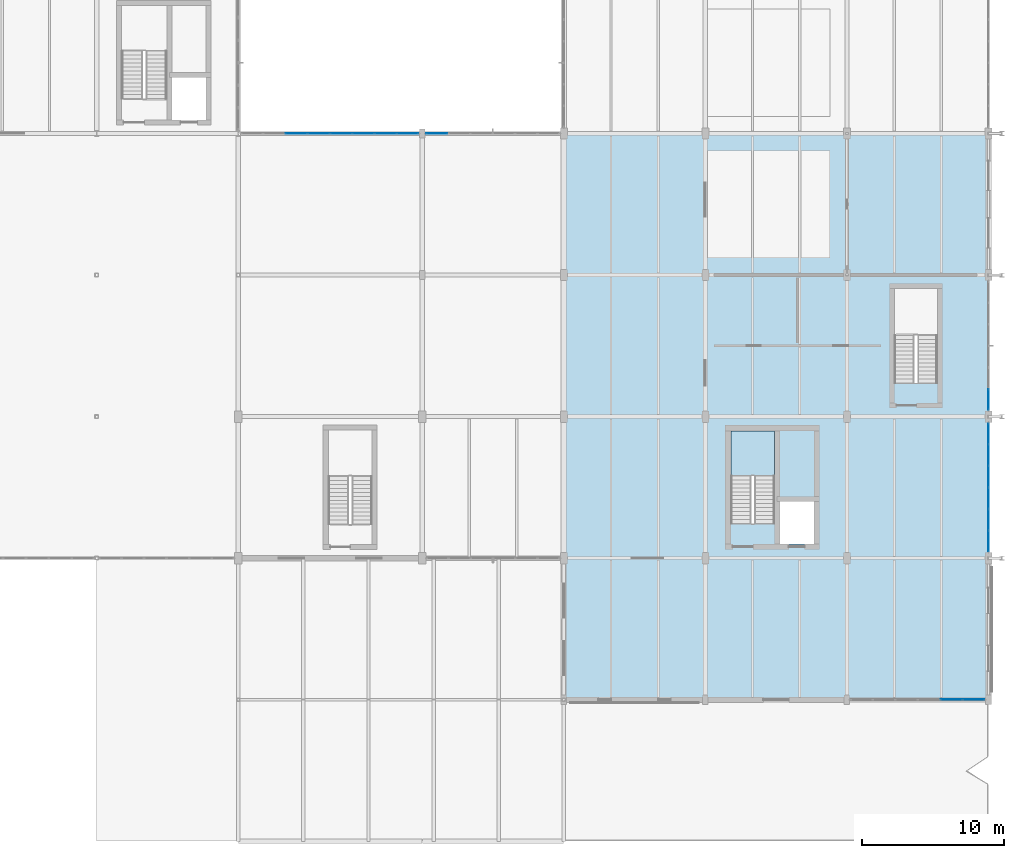
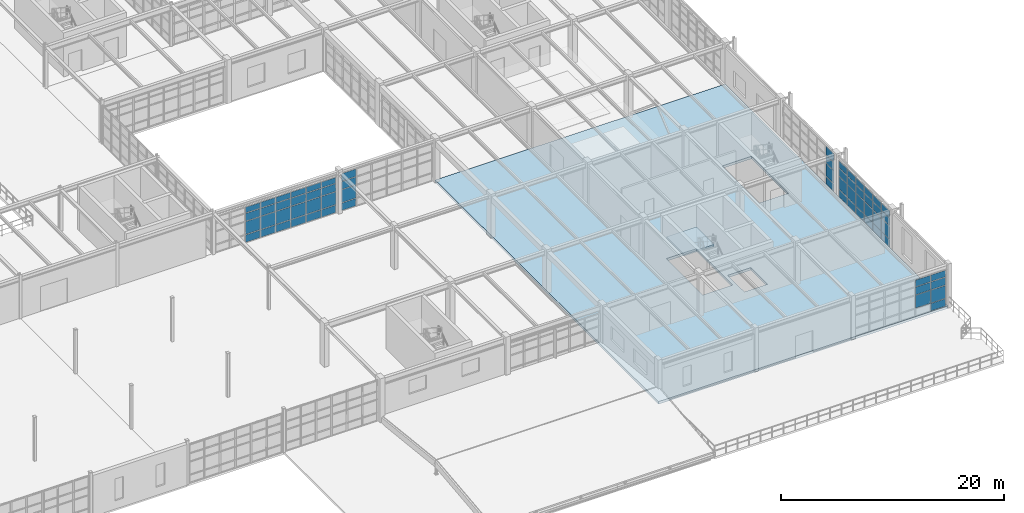
# One storey, part 98 of 139: 63 plates, 2 slabs, 6 elements without a shape of their own.
"""IFC4 building model written with IfcOpenShell, lengths in metres."""

from ifc_helpers import new_model, si_unit, direction, frame, origin, origin_2d, place, context, subcontext, project, spatial, polyline, rectangle, outline, extrude, material, layer, layer_set, type_object, element, aggregate, save


model = new_model("IFC4")

# Units and contexts
model_context = context("Model", 3, precision=1e-05, world=origin(), true_north=direction((0.0, 1.0)))
body_context = subcontext(model_context, "Body", "Model", "MODEL_VIEW")
ifc_project = project(units=[si_unit("LENGTHUNIT", "METRE"), si_unit("AREAUNIT", "SQUARE_METRE"), si_unit("VOLUMEUNIT", "CUBIC_METRE"), si_unit("PLANEANGLEUNIT", "RADIAN"), si_unit("MASSUNIT", "GRAM", prefix="KILO"), si_unit("THERMODYNAMICTEMPERATUREUNIT", "KELVIN"), si_unit("POWERUNIT", "WATT")], contexts=[model_context])

# Site, building, storey
site_placement = place(None, origin())
site = spatial("IfcSite", under=ifc_project, at=site_placement, CompositionType="ELEMENT")
building_placement = place(site_placement, origin())
building = spatial("IfcBuilding", under=site, at=building_placement, Name="Korenveer Ferry Terminal", CompositionType="ELEMENT")
storey_placement = place(building_placement, frame((0.0, 0.0, 5.39990234375)))
storey = spatial("IfcBuildingStorey", under=building, at=storey_placement, Name="L01", CompositionType="ELEMENT", Elevation=5.39990234375)

# Curtain wall, plates
ifc_material_1 = material(Name="Unitised bronze-and-glass curtain wall", Category="glass")
ifc_layer_1 = layer(ifc_material_1, 0.159912109375)
ifc_layer_set_1 = layer_set([ifc_layer_1], Name="Unitised bronze-and-glass curtain wall")
curtain_wall_type_1 = type_object("IfcCurtainWallType", Name="ENV-CW-37", PredefinedType="USERDEFINED", material=ifc_layer_set_1)
curtain_wall_1_placement = place(storey_placement, frame((166.22998046875, 10.0, 0.0)))
curtain_wall_1 = element("IfcCurtainWall", 1, at=curtain_wall_1_placement, inside=storey, type_object=curtain_wall_type_1, Name="Lancet curtain wall CWX-L01-X166-176-Y10-10", ObjectType="UNITISED CURTAIN WALL", PredefinedType="USERDEFINED")
ifc_material_2 = material(Name="Low-iron solar-control double glazing", Category="glass")
ifc_layer_2 = layer(ifc_material_2, 0.028076171875)
ifc_layer_set_2 = layer_set([ifc_layer_2], Name="Low-iron solar-control double glazing")
plate_type = type_object("IfcPlateType", Name="ENV-CWP-GLZ28", PredefinedType="CURTAIN_PANEL", material=ifc_layer_set_2)
plate_1_placement = place(storey_placement, frame((173.385009765625, 10.0, 0.93017578125), z_axis=(0.0, 0.0, 1.0), x_axis=(1.0, 0.0, 0.0)))
plate_1 = element("IfcPlate", 2, at=plate_1_placement, type_object=plate_type, Name="CW-37 panel 5.2", PredefinedType="CURTAIN_PANEL", context=body_context, shape_type="SweptSolid", body=[
    extrude(rectangle(XDim=1.530029296875, YDim=0.028076171875, at=origin_2d()), origin(), (0.0, 0.0, 1.0), 1.389892578125),
])
plate_2_placement = place(storey_placement, frame((173.385009765625, 10.0, 2.3798828125), z_axis=(0.0, 0.0, 1.0), x_axis=(1.0, 0.0, 0.0)))
plate_2 = element("IfcPlate", 3, at=plate_2_placement, type_object=plate_type, Name="CW-37 panel 5.3", PredefinedType="CURTAIN_PANEL", context=body_context, shape_type="SweptSolid", body=[
    extrude(rectangle(XDim=1.530029296875, YDim=0.028076171875, at=origin_2d()), origin(), (0.0, 0.0, 1.0), 0.840087890625),
])
plate_3_placement = place(storey_placement, frame((173.385009765625, 10.0, 3.280029296875), z_axis=(0.0, 0.0, 1.0), x_axis=(1.0, 0.0, 0.0)))
plate_3 = element("IfcPlate", 4, at=plate_3_placement, type_object=plate_type, Name="CW-37 panel 5.4", PredefinedType="CURTAIN_PANEL", context=body_context, shape_type="SweptSolid", body=[
    extrude(rectangle(XDim=1.530029296875, YDim=0.028076171875, at=origin_2d()), origin(), (0.0, 0.0, 1.0), 0.7099609375),
])
plate_4_placement = place(storey_placement, frame((174.9599609375, 10.0, 0.06005859375), z_axis=(0.0, 0.0, 1.0), x_axis=(1.0, 0.0, 0.0)))
plate_4 = element("IfcPlate", 5, at=plate_4_placement, type_object=plate_type, Name="CW-37 panel 6.1", PredefinedType="CURTAIN_PANEL", context=body_context, shape_type="SweptSolid", body=[
    extrude(rectangle(XDim=1.5, YDim=0.028076171875, at=origin_2d()), origin(), (0.0, 0.0, 1.0), 0.81005859375),
])
plate_5_placement = place(storey_placement, frame((174.9599609375, 10.0, 0.93017578125), z_axis=(0.0, 0.0, 1.0), x_axis=(1.0, 0.0, 0.0)))
plate_5 = element("IfcPlate", 6, at=plate_5_placement, type_object=plate_type, Name="CW-37 panel 6.2", PredefinedType="CURTAIN_PANEL", context=body_context, shape_type="SweptSolid", body=[
    extrude(rectangle(XDim=1.5, YDim=0.028076171875, at=origin_2d()), origin(), (0.0, 0.0, 1.0), 1.389892578125),
])
plate_6_placement = place(storey_placement, frame((174.9599609375, 10.0, 2.3798828125), z_axis=(0.0, 0.0, 1.0), x_axis=(1.0, 0.0, 0.0)))
plate_6 = element("IfcPlate", 7, at=plate_6_placement, type_object=plate_type, Name="CW-37 panel 6.3", PredefinedType="CURTAIN_PANEL", context=body_context, shape_type="SweptSolid", body=[
    extrude(rectangle(XDim=1.5, YDim=0.028076171875, at=origin_2d()), origin(), (0.0, 0.0, 1.0), 0.840087890625),
])
plate_7_placement = place(storey_placement, frame((174.9599609375, 10.0, 3.280029296875), z_axis=(0.0, 0.0, 1.0), x_axis=(1.0, 0.0, 0.0)))
plate_7 = element("IfcPlate", 8, at=plate_7_placement, type_object=plate_type, Name="CW-37 panel 6.4", PredefinedType="CURTAIN_PANEL", context=body_context, shape_type="SweptSolid", body=[
    extrude(rectangle(XDim=1.5, YDim=0.028076171875, at=origin_2d()), origin(), (0.0, 0.0, 1.0), 0.7099609375),
])
aggregate(curtain_wall_1, [plate_1, plate_2, plate_3, plate_4, plate_5, plate_6, plate_7])

ifc_layer_3 = layer(ifc_material_1, 0.159912109375)
ifc_layer_set_3 = layer_set([ifc_layer_3], Name="Unitised bronze-and-glass curtain wall")
curtain_wall_type_2 = type_object("IfcCurtainWallType", Name="ENV-CW-44", PredefinedType="USERDEFINED", material=ifc_layer_set_3)
curtain_wall_2_placement = place(storey_placement, frame((123.179931640625, 50.0, 0.0)))
curtain_wall_2 = element("IfcCurtainWall", 9, at=curtain_wall_2_placement, inside=storey, type_object=curtain_wall_type_2, Name="Lancet curtain wall CWX-L01-X123-136-Y50-50", ObjectType="UNITISED CURTAIN WALL", PredefinedType="USERDEFINED")
plate_8_placement = place(storey_placement, frame((127.1142578125, 50.0, 0.06005859375), z_axis=(0.0, 0.0, 1.0), x_axis=(1.0, 0.0, 0.0)))
plate_8 = element("IfcPlate", 10, at=plate_8_placement, type_object=plate_type, Name="CW-44 panel 3.1", PredefinedType="CURTAIN_PANEL", context=body_context, shape_type="SweptSolid", body=[
    extrude(rectangle(XDim=1.513671875, YDim=0.028076171875, at=origin_2d()), origin(), (0.0, 0.0, 1.0), 0.81005859375),
])
plate_9_placement = place(storey_placement, frame((127.1142578125, 50.0, 0.93017578125), z_axis=(0.0, 0.0, 1.0), x_axis=(1.0, 0.0, 0.0)))
plate_9 = element("IfcPlate", 11, at=plate_9_placement, type_object=plate_type, Name="CW-44 panel 3.2", PredefinedType="CURTAIN_PANEL", context=body_context, shape_type="SweptSolid", body=[
    extrude(rectangle(XDim=1.513671875, YDim=0.028076171875, at=origin_2d()), origin(), (0.0, 0.0, 1.0), 1.389892578125),
])
plate_10_placement = place(storey_placement, frame((127.1142578125, 50.0, 2.3798828125), z_axis=(0.0, 0.0, 1.0), x_axis=(1.0, 0.0, 0.0)))
plate_10 = element("IfcPlate", 12, at=plate_10_placement, type_object=plate_type, Name="CW-44 panel 3.3", PredefinedType="CURTAIN_PANEL", context=body_context, shape_type="SweptSolid", body=[
    extrude(rectangle(XDim=1.513671875, YDim=0.028076171875, at=origin_2d()), origin(), (0.0, 0.0, 1.0), 0.840087890625),
])
plate_11_placement = place(storey_placement, frame((127.1142578125, 50.0, 3.280029296875), z_axis=(0.0, 0.0, 1.0), x_axis=(1.0, 0.0, 0.0)))
plate_11 = element("IfcPlate", 13, at=plate_11_placement, type_object=plate_type, Name="CW-44 panel 3.4", PredefinedType="CURTAIN_PANEL", context=body_context, shape_type="SweptSolid", body=[
    extrude(rectangle(XDim=1.513671875, YDim=0.028076171875, at=origin_2d()), origin(), (0.0, 0.0, 1.0), 0.6201171875),
])
plate_12_placement = place(storey_placement, frame((128.688232421875, 50.0, 0.06005859375), z_axis=(0.0, 0.0, 1.0), x_axis=(1.0, 0.0, 0.0)))
plate_12 = element("IfcPlate", 14, at=plate_12_placement, type_object=plate_type, Name="CW-44 panel 4.1", PredefinedType="CURTAIN_PANEL", context=body_context, shape_type="SweptSolid", body=[
    extrude(rectangle(XDim=1.513671875, YDim=0.028076171875, at=origin_2d()), origin(), (0.0, 0.0, 1.0), 0.81005859375),
])
plate_13_placement = place(storey_placement, frame((128.688232421875, 50.0, 0.93017578125), z_axis=(0.0, 0.0, 1.0), x_axis=(1.0, 0.0, 0.0)))
plate_13 = element("IfcPlate", 15, at=plate_13_placement, type_object=plate_type, Name="CW-44 panel 4.2", PredefinedType="CURTAIN_PANEL", context=body_context, shape_type="SweptSolid", body=[
    extrude(rectangle(XDim=1.513671875, YDim=0.028076171875, at=origin_2d()), origin(), (0.0, 0.0, 1.0), 1.389892578125),
])
plate_14_placement = place(storey_placement, frame((128.688232421875, 50.0, 2.3798828125), z_axis=(0.0, 0.0, 1.0), x_axis=(1.0, 0.0, 0.0)))
plate_14 = element("IfcPlate", 16, at=plate_14_placement, type_object=plate_type, Name="CW-44 panel 4.3", PredefinedType="CURTAIN_PANEL", context=body_context, shape_type="SweptSolid", body=[
    extrude(rectangle(XDim=1.513671875, YDim=0.028076171875, at=origin_2d()), origin(), (0.0, 0.0, 1.0), 0.840087890625),
])
plate_15_placement = place(storey_placement, frame((128.688232421875, 50.0, 3.280029296875), z_axis=(0.0, 0.0, 1.0), x_axis=(1.0, 0.0, 0.0)))
plate_15 = element("IfcPlate", 17, at=plate_15_placement, type_object=plate_type, Name="CW-44 panel 4.4", PredefinedType="CURTAIN_PANEL", context=body_context, shape_type="SweptSolid", body=[
    extrude(rectangle(XDim=1.513671875, YDim=0.028076171875, at=origin_2d()), origin(), (0.0, 0.0, 1.0), 0.6201171875),
])
plate_16_placement = place(storey_placement, frame((130.261962890625, 50.0, 0.06005859375), z_axis=(0.0, 0.0, 1.0), x_axis=(1.0, 0.0, 0.0)))
plate_16 = element("IfcPlate", 18, at=plate_16_placement, type_object=plate_type, Name="CW-44 panel 5.1", PredefinedType="CURTAIN_PANEL", context=body_context, shape_type="SweptSolid", body=[
    extrude(rectangle(XDim=1.513671875, YDim=0.028076171875, at=origin_2d()), origin(), (0.0, 0.0, 1.0), 0.81005859375),
])
plate_17_placement = place(storey_placement, frame((130.261962890625, 50.0, 0.93017578125), z_axis=(0.0, 0.0, 1.0), x_axis=(1.0, 0.0, 0.0)))
plate_17 = element("IfcPlate", 19, at=plate_17_placement, type_object=plate_type, Name="CW-44 panel 5.2", PredefinedType="CURTAIN_PANEL", context=body_context, shape_type="SweptSolid", body=[
    extrude(rectangle(XDim=1.513671875, YDim=0.028076171875, at=origin_2d()), origin(), (0.0, 0.0, 1.0), 1.389892578125),
])
plate_18_placement = place(storey_placement, frame((130.261962890625, 50.0, 2.3798828125), z_axis=(0.0, 0.0, 1.0), x_axis=(1.0, 0.0, 0.0)))
plate_18 = element("IfcPlate", 20, at=plate_18_placement, type_object=plate_type, Name="CW-44 panel 5.3", PredefinedType="CURTAIN_PANEL", context=body_context, shape_type="SweptSolid", body=[
    extrude(rectangle(XDim=1.513671875, YDim=0.028076171875, at=origin_2d()), origin(), (0.0, 0.0, 1.0), 0.840087890625),
])
plate_19_placement = place(storey_placement, frame((130.261962890625, 50.0, 3.280029296875), z_axis=(0.0, 0.0, 1.0), x_axis=(1.0, 0.0, 0.0)))
plate_19 = element("IfcPlate", 21, at=plate_19_placement, type_object=plate_type, Name="CW-44 panel 5.4", PredefinedType="CURTAIN_PANEL", context=body_context, shape_type="SweptSolid", body=[
    extrude(rectangle(XDim=1.513671875, YDim=0.028076171875, at=origin_2d()), origin(), (0.0, 0.0, 1.0), 0.6201171875),
])
plate_20_placement = place(storey_placement, frame((131.835693359375, 50.0, 0.06005859375), z_axis=(0.0, 0.0, 1.0), x_axis=(1.0, 0.0, 0.0)))
plate_20 = element("IfcPlate", 22, at=plate_20_placement, type_object=plate_type, Name="CW-44 panel 6.1", PredefinedType="CURTAIN_PANEL", context=body_context, shape_type="SweptSolid", body=[
    extrude(rectangle(XDim=1.513671875, YDim=0.028076171875, at=origin_2d()), origin(), (0.0, 0.0, 1.0), 0.81005859375),
])
plate_21_placement = place(storey_placement, frame((131.835693359375, 50.0, 0.93017578125), z_axis=(0.0, 0.0, 1.0), x_axis=(1.0, 0.0, 0.0)))
plate_21 = element("IfcPlate", 23, at=plate_21_placement, type_object=plate_type, Name="CW-44 panel 6.2", PredefinedType="CURTAIN_PANEL", context=body_context, shape_type="SweptSolid", body=[
    extrude(rectangle(XDim=1.513671875, YDim=0.028076171875, at=origin_2d()), origin(), (0.0, 0.0, 1.0), 1.389892578125),
])
plate_22_placement = place(storey_placement, frame((131.835693359375, 50.0, 2.3798828125), z_axis=(0.0, 0.0, 1.0), x_axis=(1.0, 0.0, 0.0)))
plate_22 = element("IfcPlate", 24, at=plate_22_placement, type_object=plate_type, Name="CW-44 panel 6.3", PredefinedType="CURTAIN_PANEL", context=body_context, shape_type="SweptSolid", body=[
    extrude(rectangle(XDim=1.513671875, YDim=0.028076171875, at=origin_2d()), origin(), (0.0, 0.0, 1.0), 0.840087890625),
])
plate_23_placement = place(storey_placement, frame((131.835693359375, 50.0, 3.280029296875), z_axis=(0.0, 0.0, 1.0), x_axis=(1.0, 0.0, 0.0)))
plate_23 = element("IfcPlate", 25, at=plate_23_placement, type_object=plate_type, Name="CW-44 panel 6.4", PredefinedType="CURTAIN_PANEL", context=body_context, shape_type="SweptSolid", body=[
    extrude(rectangle(XDim=1.513671875, YDim=0.028076171875, at=origin_2d()), origin(), (0.0, 0.0, 1.0), 0.6201171875),
])
plate_24_placement = place(storey_placement, frame((133.409423828125, 50.0, 0.06005859375), z_axis=(0.0, 0.0, 1.0), x_axis=(1.0, 0.0, 0.0)))
plate_24 = element("IfcPlate", 26, at=plate_24_placement, type_object=plate_type, Name="CW-44 panel 7.1", PredefinedType="CURTAIN_PANEL", context=body_context, shape_type="SweptSolid", body=[
    extrude(rectangle(XDim=1.513671875, YDim=0.028076171875, at=origin_2d()), origin(), (0.0, 0.0, 1.0), 0.81005859375),
])
plate_25_placement = place(storey_placement, frame((133.409423828125, 50.0, 0.93017578125), z_axis=(0.0, 0.0, 1.0), x_axis=(1.0, 0.0, 0.0)))
plate_25 = element("IfcPlate", 27, at=plate_25_placement, type_object=plate_type, Name="CW-44 panel 7.2", PredefinedType="CURTAIN_PANEL", context=body_context, shape_type="SweptSolid", body=[
    extrude(rectangle(XDim=1.513671875, YDim=0.028076171875, at=origin_2d()), origin(), (0.0, 0.0, 1.0), 1.389892578125),
])
plate_26_placement = place(storey_placement, frame((133.409423828125, 50.0, 2.3798828125), z_axis=(0.0, 0.0, 1.0), x_axis=(1.0, 0.0, 0.0)))
plate_26 = element("IfcPlate", 28, at=plate_26_placement, type_object=plate_type, Name="CW-44 panel 7.3", PredefinedType="CURTAIN_PANEL", context=body_context, shape_type="SweptSolid", body=[
    extrude(rectangle(XDim=1.513671875, YDim=0.028076171875, at=origin_2d()), origin(), (0.0, 0.0, 1.0), 0.840087890625),
])
plate_27_placement = place(storey_placement, frame((133.409423828125, 50.0, 3.280029296875), z_axis=(0.0, 0.0, 1.0), x_axis=(1.0, 0.0, 0.0)))
plate_27 = element("IfcPlate", 29, at=plate_27_placement, type_object=plate_type, Name="CW-44 panel 7.4", PredefinedType="CURTAIN_PANEL", context=body_context, shape_type="SweptSolid", body=[
    extrude(rectangle(XDim=1.513671875, YDim=0.028076171875, at=origin_2d()), origin(), (0.0, 0.0, 1.0), 0.6201171875),
])
plate_28_placement = place(storey_placement, frame((134.968017578125, 50.0, 0.06005859375), z_axis=(0.0, 0.0, 1.0), x_axis=(1.0, 0.0, 0.0)))
plate_28 = element("IfcPlate", 30, at=plate_28_placement, type_object=plate_type, Name="CW-44 panel 8.1", PredefinedType="CURTAIN_PANEL", context=body_context, shape_type="SweptSolid", body=[
    extrude(rectangle(XDim=1.483642578125, YDim=0.028076171875, at=origin_2d()), origin(), (0.0, 0.0, 1.0), 0.81005859375),
])
plate_29_placement = place(storey_placement, frame((134.968017578125, 50.0, 0.93017578125), z_axis=(0.0, 0.0, 1.0), x_axis=(1.0, 0.0, 0.0)))
plate_29 = element("IfcPlate", 31, at=plate_29_placement, type_object=plate_type, Name="CW-44 panel 8.2", PredefinedType="CURTAIN_PANEL", context=body_context, shape_type="SweptSolid", body=[
    extrude(rectangle(XDim=1.483642578125, YDim=0.028076171875, at=origin_2d()), origin(), (0.0, 0.0, 1.0), 1.389892578125),
])
plate_30_placement = place(storey_placement, frame((134.968017578125, 50.0, 2.3798828125), z_axis=(0.0, 0.0, 1.0), x_axis=(1.0, 0.0, 0.0)))
plate_30 = element("IfcPlate", 32, at=plate_30_placement, type_object=plate_type, Name="CW-44 panel 8.3", PredefinedType="CURTAIN_PANEL", context=body_context, shape_type="SweptSolid", body=[
    extrude(rectangle(XDim=1.483642578125, YDim=0.028076171875, at=origin_2d()), origin(), (0.0, 0.0, 1.0), 0.840087890625),
])
plate_31_placement = place(storey_placement, frame((134.968017578125, 50.0, 3.280029296875), z_axis=(0.0, 0.0, 1.0), x_axis=(1.0, 0.0, 0.0)))
plate_31 = element("IfcPlate", 33, at=plate_31_placement, type_object=plate_type, Name="CW-44 panel 8.4", PredefinedType="CURTAIN_PANEL", context=body_context, shape_type="SweptSolid", body=[
    extrude(rectangle(XDim=1.483642578125, YDim=0.028076171875, at=origin_2d()), origin(), (0.0, 0.0, 1.0), 0.6201171875),
])
aggregate(curtain_wall_2, [plate_8, plate_9, plate_10, plate_11, plate_12, plate_13, plate_14, plate_15, plate_16, plate_17, plate_18, plate_19, plate_20, plate_21, plate_22, plate_23, plate_24, plate_25, plate_26, plate_27, plate_28, plate_29, plate_30, plate_31])

ifc_layer_4 = layer(ifc_material_1, 0.159912109375)
ifc_layer_set_4 = layer_set([ifc_layer_4], Name="Unitised bronze-and-glass curtain wall")
curtain_wall_type_3 = type_object("IfcCurtainWallType", Name="ENV-CW-45", PredefinedType="USERDEFINED", material=ifc_layer_set_4)
curtain_wall_3_placement = place(storey_placement, frame((136.22998046875, 50.0, 0.0)))
curtain_wall_3 = element("IfcCurtainWall", 34, at=curtain_wall_3_placement, inside=storey, type_object=curtain_wall_type_3, Name="Lancet curtain wall CWX-L01-X136-146-Y50-50", ObjectType="UNITISED CURTAIN WALL", PredefinedType="USERDEFINED")
plate_32_placement = place(storey_placement, frame((137.035888671875, 50.0, 0.06005859375), z_axis=(0.0, 0.0, 1.0), x_axis=(1.0, 0.0, 0.0)))
plate_32 = element("IfcPlate", 35, at=plate_32_placement, type_object=plate_type, Name="CW-45 panel 1.1", PredefinedType="CURTAIN_PANEL", context=body_context, shape_type="SweptSolid", body=[
    extrude(rectangle(XDim=1.49169921875, YDim=0.028076171875, at=origin_2d()), origin(), (0.0, 0.0, 1.0), 0.81005859375),
])
plate_33_placement = place(storey_placement, frame((137.035888671875, 50.0, 0.93017578125), z_axis=(0.0, 0.0, 1.0), x_axis=(1.0, 0.0, 0.0)))
plate_33 = element("IfcPlate", 36, at=plate_33_placement, type_object=plate_type, Name="CW-45 panel 1.2", PredefinedType="CURTAIN_PANEL", context=body_context, shape_type="SweptSolid", body=[
    extrude(rectangle(XDim=1.49169921875, YDim=0.028076171875, at=origin_2d()), origin(), (0.0, 0.0, 1.0), 1.389892578125),
])
plate_34_placement = place(storey_placement, frame((137.035888671875, 50.0, 2.3798828125), z_axis=(0.0, 0.0, 1.0), x_axis=(1.0, 0.0, 0.0)))
plate_34 = element("IfcPlate", 37, at=plate_34_placement, type_object=plate_type, Name="CW-45 panel 1.3", PredefinedType="CURTAIN_PANEL", context=body_context, shape_type="SweptSolid", body=[
    extrude(rectangle(XDim=1.49169921875, YDim=0.028076171875, at=origin_2d()), origin(), (0.0, 0.0, 1.0), 0.840087890625),
])
plate_35_placement = place(storey_placement, frame((137.035888671875, 50.0, 3.2802734375), z_axis=(0.0, 0.0, 1.0), x_axis=(1.0, 0.0, 0.0)))
plate_35 = element("IfcPlate", 38, at=plate_35_placement, type_object=plate_type, Name="CW-45 panel 1.4", PredefinedType="CURTAIN_PANEL", context=body_context, shape_type="SweptSolid", body=[
    extrude(rectangle(XDim=1.49169921875, YDim=0.028076171875, at=origin_2d()), origin(), (0.0, 0.0, 1.0), 0.820068359375),
])
aggregate(curtain_wall_3, [plate_32, plate_33, plate_34, plate_35])

ifc_layer_5 = layer(ifc_material_1, 0.159912109375)
ifc_layer_set_5 = layer_set([ifc_layer_5], Name="Unitised bronze-and-glass curtain wall")
curtain_wall_type_4 = type_object("IfcCurtainWallType", Name="ENV-CW-80", PredefinedType="USERDEFINED", material=ifc_layer_set_5)
curtain_wall_4_placement = place(storey_placement, frame((176.0, 29.570068359375, 0.0)))
curtain_wall_4 = element("IfcCurtainWall", 39, at=curtain_wall_4_placement, inside=storey, type_object=curtain_wall_type_4, Name="Lancet curtain wall CWX-L01-X176-176-Y20-30", ObjectType="UNITISED CURTAIN WALL", PredefinedType="USERDEFINED")
plate_36_placement = place(storey_placement, frame((176.0, 28.793212890625, 0.06005859375), z_axis=(0.0, 0.0, 1.0), x_axis=(0.0, -1.0, 0.0)))
plate_36 = element("IfcPlate", 40, at=plate_36_placement, type_object=plate_type, Name="CW-80 panel 1.1", PredefinedType="CURTAIN_PANEL", context=body_context, shape_type="SweptSolid", body=[
    extrude(rectangle(XDim=1.433349609375, YDim=0.028076171875, at=origin_2d()), origin(), (0.0, 0.0, 1.0), 0.81005859375),
])
plate_37_placement = place(storey_placement, frame((176.0, 28.793212890625, 0.93017578125), z_axis=(0.0, 0.0, 1.0), x_axis=(0.0, -1.0, 0.0)))
plate_37 = element("IfcPlate", 41, at=plate_37_placement, type_object=plate_type, Name="CW-80 panel 1.2", PredefinedType="CURTAIN_PANEL", context=body_context, shape_type="SweptSolid", body=[
    extrude(rectangle(XDim=1.433349609375, YDim=0.028076171875, at=origin_2d()), origin(), (0.0, 0.0, 1.0), 1.389892578125),
])
plate_38_placement = place(storey_placement, frame((176.0, 28.793212890625, 2.3798828125), z_axis=(0.0, 0.0, 1.0), x_axis=(0.0, -1.0, 0.0)))
plate_38 = element("IfcPlate", 42, at=plate_38_placement, type_object=plate_type, Name="CW-80 panel 1.3", PredefinedType="CURTAIN_PANEL", context=body_context, shape_type="SweptSolid", body=[
    extrude(rectangle(XDim=1.433349609375, YDim=0.028076171875, at=origin_2d()), origin(), (0.0, 0.0, 1.0), 0.840087890625),
])
plate_39_placement = place(storey_placement, frame((176.0, 28.793212890625, 3.280029296875), z_axis=(0.0, 0.0, 1.0), x_axis=(0.0, -1.0, 0.0)))
plate_39 = element("IfcPlate", 43, at=plate_39_placement, type_object=plate_type, Name="CW-80 panel 1.4", PredefinedType="CURTAIN_PANEL", context=body_context, shape_type="SweptSolid", body=[
    extrude(rectangle(XDim=1.433349609375, YDim=0.028076171875, at=origin_2d()), origin(), (0.0, 0.0, 1.0), 0.72998046875),
])
plate_40_placement = place(storey_placement, frame((176.0, 27.284912109375, 0.06005859375), z_axis=(0.0, 0.0, 1.0), x_axis=(0.0, -1.0, 0.0)))
plate_40 = element("IfcPlate", 44, at=plate_40_placement, type_object=plate_type, Name="CW-80 panel 2.1", PredefinedType="CURTAIN_PANEL", context=body_context, shape_type="SweptSolid", body=[
    extrude(rectangle(XDim=1.46337890625, YDim=0.028076171875, at=origin_2d()), origin(), (0.0, 0.0, 1.0), 0.81005859375),
])
plate_41_placement = place(storey_placement, frame((176.0, 27.284912109375, 0.93017578125), z_axis=(0.0, 0.0, 1.0), x_axis=(0.0, -1.0, 0.0)))
plate_41 = element("IfcPlate", 45, at=plate_41_placement, type_object=plate_type, Name="CW-80 panel 2.2", PredefinedType="CURTAIN_PANEL", context=body_context, shape_type="SweptSolid", body=[
    extrude(rectangle(XDim=1.46337890625, YDim=0.028076171875, at=origin_2d()), origin(), (0.0, 0.0, 1.0), 1.389892578125),
])
plate_42_placement = place(storey_placement, frame((176.0, 27.284912109375, 2.3798828125), z_axis=(0.0, 0.0, 1.0), x_axis=(0.0, -1.0, 0.0)))
plate_42 = element("IfcPlate", 46, at=plate_42_placement, type_object=plate_type, Name="CW-80 panel 2.3", PredefinedType="CURTAIN_PANEL", context=body_context, shape_type="SweptSolid", body=[
    extrude(rectangle(XDim=1.46337890625, YDim=0.028076171875, at=origin_2d()), origin(), (0.0, 0.0, 1.0), 0.840087890625),
])
plate_43_placement = place(storey_placement, frame((176.0, 27.284912109375, 3.280029296875), z_axis=(0.0, 0.0, 1.0), x_axis=(0.0, -1.0, 0.0)))
plate_43 = element("IfcPlate", 47, at=plate_43_placement, type_object=plate_type, Name="CW-80 panel 2.4", PredefinedType="CURTAIN_PANEL", context=body_context, shape_type="SweptSolid", body=[
    extrude(rectangle(XDim=1.46337890625, YDim=0.028076171875, at=origin_2d()), origin(), (0.0, 0.0, 1.0), 0.72998046875),
])
plate_44_placement = place(storey_placement, frame((176.0, 25.76171875, 0.06005859375), z_axis=(0.0, 0.0, 1.0), x_axis=(0.0, -1.0, 0.0)))
plate_44 = element("IfcPlate", 48, at=plate_44_placement, type_object=plate_type, Name="CW-80 panel 3.1", PredefinedType="CURTAIN_PANEL", context=body_context, shape_type="SweptSolid", body=[
    extrude(rectangle(XDim=1.46337890625, YDim=0.028076171875, at=origin_2d()), origin(), (0.0, 0.0, 1.0), 0.81005859375),
])
plate_45_placement = place(storey_placement, frame((176.0, 25.76171875, 0.93017578125), z_axis=(0.0, 0.0, 1.0), x_axis=(0.0, -1.0, 0.0)))
plate_45 = element("IfcPlate", 49, at=plate_45_placement, type_object=plate_type, Name="CW-80 panel 3.2", PredefinedType="CURTAIN_PANEL", context=body_context, shape_type="SweptSolid", body=[
    extrude(rectangle(XDim=1.46337890625, YDim=0.028076171875, at=origin_2d()), origin(), (0.0, 0.0, 1.0), 1.389892578125),
])
plate_46_placement = place(storey_placement, frame((176.0, 25.76171875, 2.3798828125), z_axis=(0.0, 0.0, 1.0), x_axis=(0.0, -1.0, 0.0)))
plate_46 = element("IfcPlate", 50, at=plate_46_placement, type_object=plate_type, Name="CW-80 panel 3.3", PredefinedType="CURTAIN_PANEL", context=body_context, shape_type="SweptSolid", body=[
    extrude(rectangle(XDim=1.46337890625, YDim=0.028076171875, at=origin_2d()), origin(), (0.0, 0.0, 1.0), 0.840087890625),
])
plate_47_placement = place(storey_placement, frame((176.0, 25.76171875, 3.280029296875), z_axis=(0.0, 0.0, 1.0), x_axis=(0.0, -1.0, 0.0)))
plate_47 = element("IfcPlate", 51, at=plate_47_placement, type_object=plate_type, Name="CW-80 panel 3.4", PredefinedType="CURTAIN_PANEL", context=body_context, shape_type="SweptSolid", body=[
    extrude(rectangle(XDim=1.46337890625, YDim=0.028076171875, at=origin_2d()), origin(), (0.0, 0.0, 1.0), 0.72998046875),
])
plate_48_placement = place(storey_placement, frame((176.0, 24.23828125, 0.06005859375), z_axis=(0.0, 0.0, 1.0), x_axis=(0.0, -1.0, 0.0)))
plate_48 = element("IfcPlate", 52, at=plate_48_placement, type_object=plate_type, Name="CW-80 panel 4.1", PredefinedType="CURTAIN_PANEL", context=body_context, shape_type="SweptSolid", body=[
    extrude(rectangle(XDim=1.46337890625, YDim=0.028076171875, at=origin_2d()), origin(), (0.0, 0.0, 1.0), 0.81005859375),
])
plate_49_placement = place(storey_placement, frame((176.0, 24.23828125, 0.93017578125), z_axis=(0.0, 0.0, 1.0), x_axis=(0.0, -1.0, 0.0)))
plate_49 = element("IfcPlate", 53, at=plate_49_placement, type_object=plate_type, Name="CW-80 panel 4.2", PredefinedType="CURTAIN_PANEL", context=body_context, shape_type="SweptSolid", body=[
    extrude(rectangle(XDim=1.46337890625, YDim=0.028076171875, at=origin_2d()), origin(), (0.0, 0.0, 1.0), 1.389892578125),
])
plate_50_placement = place(storey_placement, frame((176.0, 24.23828125, 2.3798828125), z_axis=(0.0, 0.0, 1.0), x_axis=(0.0, -1.0, 0.0)))
plate_50 = element("IfcPlate", 54, at=plate_50_placement, type_object=plate_type, Name="CW-80 panel 4.3", PredefinedType="CURTAIN_PANEL", context=body_context, shape_type="SweptSolid", body=[
    extrude(rectangle(XDim=1.46337890625, YDim=0.028076171875, at=origin_2d()), origin(), (0.0, 0.0, 1.0), 0.840087890625),
])
plate_51_placement = place(storey_placement, frame((176.0, 24.23828125, 3.280029296875), z_axis=(0.0, 0.0, 1.0), x_axis=(0.0, -1.0, 0.0)))
plate_51 = element("IfcPlate", 55, at=plate_51_placement, type_object=plate_type, Name="CW-80 panel 4.4", PredefinedType="CURTAIN_PANEL", context=body_context, shape_type="SweptSolid", body=[
    extrude(rectangle(XDim=1.46337890625, YDim=0.028076171875, at=origin_2d()), origin(), (0.0, 0.0, 1.0), 0.72998046875),
])
plate_52_placement = place(storey_placement, frame((176.0, 22.715087890625, 0.06005859375), z_axis=(0.0, 0.0, 1.0), x_axis=(0.0, -1.0, 0.0)))
plate_52 = element("IfcPlate", 56, at=plate_52_placement, type_object=plate_type, Name="CW-80 panel 5.1", PredefinedType="CURTAIN_PANEL", context=body_context, shape_type="SweptSolid", body=[
    extrude(rectangle(XDim=1.46337890625, YDim=0.028076171875, at=origin_2d()), origin(), (0.0, 0.0, 1.0), 0.81005859375),
])
plate_53_placement = place(storey_placement, frame((176.0, 22.715087890625, 0.93017578125), z_axis=(0.0, 0.0, 1.0), x_axis=(0.0, -1.0, 0.0)))
plate_53 = element("IfcPlate", 57, at=plate_53_placement, type_object=plate_type, Name="CW-80 panel 5.2", PredefinedType="CURTAIN_PANEL", context=body_context, shape_type="SweptSolid", body=[
    extrude(rectangle(XDim=1.46337890625, YDim=0.028076171875, at=origin_2d()), origin(), (0.0, 0.0, 1.0), 1.389892578125),
])
plate_54_placement = place(storey_placement, frame((176.0, 22.715087890625, 2.3798828125), z_axis=(0.0, 0.0, 1.0), x_axis=(0.0, -1.0, 0.0)))
plate_54 = element("IfcPlate", 58, at=plate_54_placement, type_object=plate_type, Name="CW-80 panel 5.3", PredefinedType="CURTAIN_PANEL", context=body_context, shape_type="SweptSolid", body=[
    extrude(rectangle(XDim=1.46337890625, YDim=0.028076171875, at=origin_2d()), origin(), (0.0, 0.0, 1.0), 0.840087890625),
])
plate_55_placement = place(storey_placement, frame((176.0, 22.715087890625, 3.280029296875), z_axis=(0.0, 0.0, 1.0), x_axis=(0.0, -1.0, 0.0)))
plate_55 = element("IfcPlate", 59, at=plate_55_placement, type_object=plate_type, Name="CW-80 panel 5.4", PredefinedType="CURTAIN_PANEL", context=body_context, shape_type="SweptSolid", body=[
    extrude(rectangle(XDim=1.46337890625, YDim=0.028076171875, at=origin_2d()), origin(), (0.0, 0.0, 1.0), 0.72998046875),
])
plate_56_placement = place(storey_placement, frame((176.0, 21.206787109375, 0.06005859375), z_axis=(0.0, 0.0, 1.0), x_axis=(0.0, -1.0, 0.0)))
plate_56 = element("IfcPlate", 60, at=plate_56_placement, type_object=plate_type, Name="CW-80 panel 6.1", PredefinedType="CURTAIN_PANEL", context=body_context, shape_type="SweptSolid", body=[
    extrude(rectangle(XDim=1.433349609375, YDim=0.028076171875, at=origin_2d()), origin(), (0.0, 0.0, 1.0), 0.81005859375),
])
plate_57_placement = place(storey_placement, frame((176.0, 21.206787109375, 0.93017578125), z_axis=(0.0, 0.0, 1.0), x_axis=(0.0, -1.0, 0.0)))
plate_57 = element("IfcPlate", 61, at=plate_57_placement, type_object=plate_type, Name="CW-80 panel 6.2", PredefinedType="CURTAIN_PANEL", context=body_context, shape_type="SweptSolid", body=[
    extrude(rectangle(XDim=1.433349609375, YDim=0.028076171875, at=origin_2d()), origin(), (0.0, 0.0, 1.0), 1.389892578125),
])
plate_58_placement = place(storey_placement, frame((176.0, 21.206787109375, 2.3798828125), z_axis=(0.0, 0.0, 1.0), x_axis=(0.0, -1.0, 0.0)))
plate_58 = element("IfcPlate", 62, at=plate_58_placement, type_object=plate_type, Name="CW-80 panel 6.3", PredefinedType="CURTAIN_PANEL", context=body_context, shape_type="SweptSolid", body=[
    extrude(rectangle(XDim=1.433349609375, YDim=0.028076171875, at=origin_2d()), origin(), (0.0, 0.0, 1.0), 0.840087890625),
])
plate_59_placement = place(storey_placement, frame((176.0, 21.206787109375, 3.280029296875), z_axis=(0.0, 0.0, 1.0), x_axis=(0.0, -1.0, 0.0)))
plate_59 = element("IfcPlate", 63, at=plate_59_placement, type_object=plate_type, Name="CW-80 panel 6.4", PredefinedType="CURTAIN_PANEL", context=body_context, shape_type="SweptSolid", body=[
    extrude(rectangle(XDim=1.433349609375, YDim=0.028076171875, at=origin_2d()), origin(), (0.0, 0.0, 1.0), 0.72998046875),
])
aggregate(curtain_wall_4, [plate_36, plate_37, plate_38, plate_39, plate_40, plate_41, plate_42, plate_43, plate_44, plate_45, plate_46, plate_47, plate_48, plate_49, plate_50, plate_51, plate_52, plate_53, plate_54, plate_55, plate_56, plate_57, plate_58, plate_59])

ifc_layer_6 = layer(ifc_material_1, 0.159912109375)
ifc_layer_set_6 = layer_set([ifc_layer_6], Name="Unitised bronze-and-glass curtain wall")
curtain_wall_type_5 = type_object("IfcCurtainWallType", Name="ENV-CW-81", PredefinedType="USERDEFINED", material=ifc_layer_set_6)
curtain_wall_5_placement = place(storey_placement, frame((176.0, 39.570068359375, 0.0)))
curtain_wall_5 = element("IfcCurtainWall", 64, at=curtain_wall_5_placement, inside=storey, type_object=curtain_wall_type_5, Name="Lancet curtain wall CWX-L01-X176-176-Y30-40", ObjectType="UNITISED CURTAIN WALL", PredefinedType="USERDEFINED")
plate_60_placement = place(storey_placement, frame((176.0, 31.206787109375, 0.06005859375), z_axis=(0.0, 0.0, 1.0), x_axis=(0.0, -1.0, 0.0)))
plate_60 = element("IfcPlate", 65, at=plate_60_placement, type_object=plate_type, Name="CW-81 panel 6.1", PredefinedType="CURTAIN_PANEL", context=body_context, shape_type="SweptSolid", body=[
    extrude(rectangle(XDim=1.433349609375, YDim=0.028076171875, at=origin_2d()), origin(), (0.0, 0.0, 1.0), 0.81005859375),
])
plate_61_placement = place(storey_placement, frame((176.0, 31.206787109375, 0.93017578125), z_axis=(0.0, 0.0, 1.0), x_axis=(0.0, -1.0, 0.0)))
plate_61 = element("IfcPlate", 66, at=plate_61_placement, type_object=plate_type, Name="CW-81 panel 6.2", PredefinedType="CURTAIN_PANEL", context=body_context, shape_type="SweptSolid", body=[
    extrude(rectangle(XDim=1.433349609375, YDim=0.028076171875, at=origin_2d()), origin(), (0.0, 0.0, 1.0), 1.389892578125),
])
plate_62_placement = place(storey_placement, frame((176.0, 31.206787109375, 2.3798828125), z_axis=(0.0, 0.0, 1.0), x_axis=(0.0, -1.0, 0.0)))
plate_62 = element("IfcPlate", 67, at=plate_62_placement, type_object=plate_type, Name="CW-81 panel 6.3", PredefinedType="CURTAIN_PANEL", context=body_context, shape_type="SweptSolid", body=[
    extrude(rectangle(XDim=1.433349609375, YDim=0.028076171875, at=origin_2d()), origin(), (0.0, 0.0, 1.0), 0.840087890625),
])
plate_63_placement = place(storey_placement, frame((176.0, 31.206787109375, 3.2802734375), z_axis=(0.0, 0.0, 1.0), x_axis=(0.0, -1.0, 0.0)))
plate_63 = element("IfcPlate", 68, at=plate_63_placement, type_object=plate_type, Name="CW-81 panel 6.4", PredefinedType="CURTAIN_PANEL", context=body_context, shape_type="SweptSolid", body=[
    extrude(rectangle(XDim=1.433349609375, YDim=0.028076171875, at=origin_2d()), origin(), (0.0, 0.0, 1.0), 0.929931640625),
])
aggregate(curtain_wall_5, [plate_60, plate_61, plate_62, plate_63])

# Stair, slab
ifc_material_3 = material(Name="Concrete C40/50", Category="concrete")
stair_type = type_object("IfcStairType", Name="INT-ST-02", PredefinedType="HALF_TURN_STAIR", material=ifc_material_3)
stair_placement = place(storey_placement, frame((160.175048828125, 22.449951171875, 0.0)))
stair = element("IfcStair", 69, at=stair_placement, inside=storey, type_object=stair_type, Name="L01 East Firefighting Core K3", PredefinedType="HALF_TURN_STAIR")
ifc_layer_7 = layer(ifc_material_3, 0.199951171875)
ifc_layer_set_7 = layer_set([ifc_layer_7], Name="Concrete C40/50")
slab_type_1 = type_object("IfcSlabType", Name="INT-SL-LAND200", PredefinedType="LANDING", material=ifc_layer_set_7)
slab_1_placement = place(storey_placement, frame((0.0, 0.0, 2.2001953125)))
slab_1 = element("IfcSlab", 70, at=slab_1_placement, type_object=slab_type_1, Name="ST03 landing 1", PredefinedType="LANDING", context=body_context, shape_type="SweptSolid", body=[
    extrude(outline(polyline([(160.89990234375, 25.81005859375), (160.89990234375, 29.0), (157.800048828125, 29.0), (157.800048828125, 25.81005859375), (160.89990234375, 25.81005859375)])), origin(), (0.0, 0.0, 1.0), 0.199951171875),
])
aggregate(stair, [slab_1])

# Slab
ifc_material_4 = material(Name="Concrete C35/45", Category="concrete")
ifc_layer_8 = layer(ifc_material_4, 0.280029296875)
ifc_layer_set_8 = layer_set([ifc_layer_8], Name="Concrete C35/45")
slab_type_2 = type_object("IfcSlabType", Name="STR-SL-FLR280", PredefinedType="FLOOR", material=ifc_layer_set_8)
slab_2_placement = place(storey_placement, frame((0.0, 0.0, -0.27978515625)))
element("IfcSlab", 71, at=slab_2_placement, inside=storey, type_object=slab_type_2, Name="Floor slab SL-L01-E1", PredefinedType="FLOOR", context=body_context, shape_type="SweptSolid", body=[
    extrude(outline(polyline([(146.0, 10.0), (176.0, 10.0), (176.0, 50.0), (146.0, 50.0), (146.0, 10.0)]), holes=[polyline([(160.89990234375, 22.449951171875), (160.89990234375, 29.0), (157.800048828125, 29.0), (157.800048828125, 22.449951171875), (160.89990234375, 22.449951171875)]), polyline([(161.260009765625, 21.0), (163.659912109375, 21.0), (163.659912109375, 24.0), (161.260009765625, 24.0), (161.260009765625, 21.0)]), polyline([(172.39990234375, 32.3798828125), (172.39990234375, 39.0400390625), (169.360107421875, 39.0400390625), (169.360107421875, 32.3798828125), (172.39990234375, 32.3798828125)])]), origin(), (0.0, 0.0, 1.0), 0.27978515625),
])

save(model, "model.ifc")
